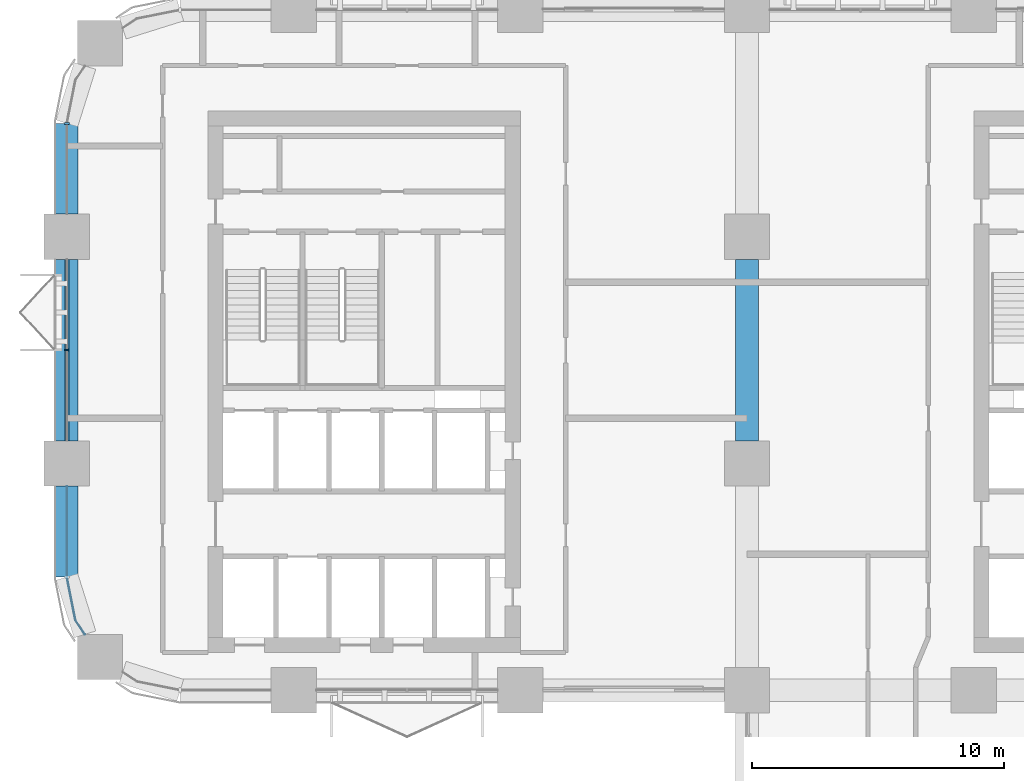
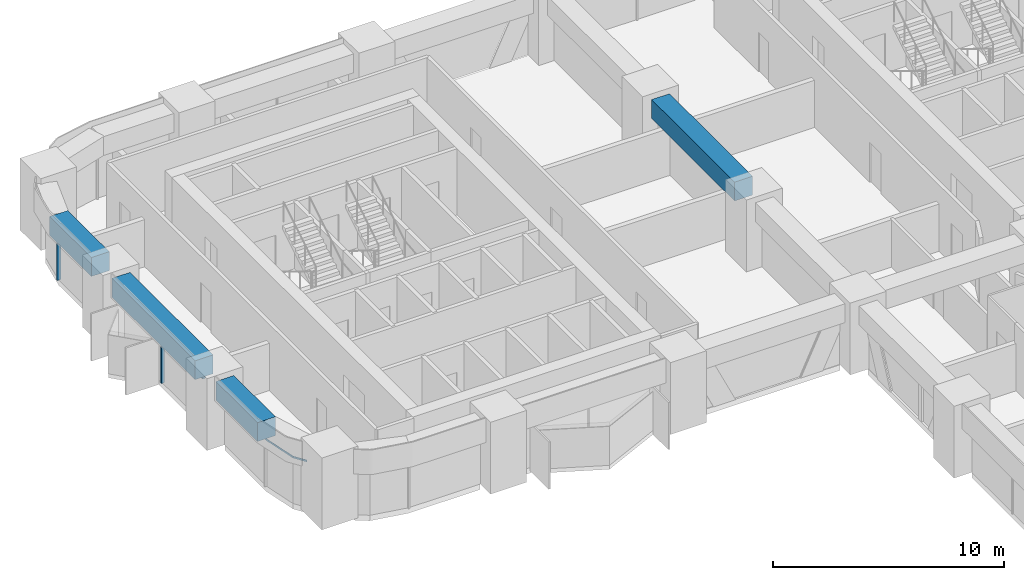
# One storey, part 6 of 18: 4 beams, 4 members, 3 elements without a shape of their own.
"""IFC4 building model written with IfcOpenShell, lengths in metres."""

from ifc_helpers import new_model, si_unit, direction, frame, origin, origin_2d, place, context, subcontext, project, spatial, polyline, rectangle, outline, extrude, material, material_profile, profile_set, type_object, element, aggregate, save


model = new_model("IFC4")

# Units and contexts
model_context = context("Model", 3, precision=1e-05, world=origin(), true_north=direction((0.0, 1.0)))
body_context = subcontext(model_context, "Body", "Model", "MODEL_VIEW")
ifc_project = project(units=[si_unit("LENGTHUNIT", "METRE"), si_unit("AREAUNIT", "SQUARE_METRE"), si_unit("VOLUMEUNIT", "CUBIC_METRE"), si_unit("PLANEANGLEUNIT", "RADIAN"), si_unit("MASSUNIT", "GRAM", prefix="KILO")], contexts=[model_context])

# Site, building, storey
site_placement = place(None, origin())
site = spatial("IfcSite", under=ifc_project, at=site_placement, CompositionType="ELEMENT")
building_placement = place(site_placement, origin())
building = spatial("IfcBuilding", under=site, at=building_placement, Name="Tessera Arch", CompositionType="ELEMENT")
storey_placement = place(building_placement, frame((0.0, 0.0, 89.199951171875)))
storey = spatial("IfcBuildingStorey", under=building, at=storey_placement, Name="L20", CompositionType="ELEMENT", Elevation=89.199951171875)

# Curtain wall, members
ifc_material_1 = material(Name="CW1 curtain wall")
curtain_wall_type_1 = type_object("IfcCurtainWallType", Name="CW1 curtain wall", PredefinedType="NOTDEFINED", material=ifc_material_1)
curtain_wall_1_placement = place(storey_placement, origin())
curtain_wall_1 = element("IfcCurtainWall", 1, at=curtain_wall_1_placement, inside=storey, type_object=curtain_wall_type_1, Name="CW1 curtain wall W0.27/1 L20", PredefinedType="NOTDEFINED")
ifc_material_2 = material(Name="Anodised aluminium pale metal", Category="aluminium")
ifc_material_profile_1 = material_profile(ifc_material_2, rectangle(XDim=0.159912109375, YDim=0.06005859375, at=origin_2d()), Name="AL 60x160")
ifc_profile_set_1 = profile_set([ifc_material_profile_1], Name="Anodised aluminium pale metal")
member_type_1 = type_object("IfcMemberType", Name="CW1 mullion", PredefinedType="MULLION", material=ifc_profile_set_1)
member_1_placement = place(storey_placement, frame((0.0, 40.5, 0.0), z_axis=(0.0, 0.0, 1.0), x_axis=(1.0, 0.0, 0.0)))
member_1 = element("IfcMember", 2, at=member_1_placement, type_object=member_type_1, Name="CW1 mullion W0.27/1 1", PredefinedType="MULLION", context=body_context, shape_type="SweptSolid", body=[
    extrude(rectangle(XDim=0.159912109375, YDim=0.06005859375, at=origin_2d()), origin(), (0.0, 0.0, 1.0), 2.400146484375),
])
ifc_material_3 = material(Name="Anodised aluminium pale metal", Category="aluminium")
ifc_material_profile_2 = material_profile(ifc_material_3, rectangle(XDim=0.159912109375, YDim=0.10009765625, at=origin_2d()), Name="AL 160x100")
ifc_profile_set_2 = profile_set([ifc_material_profile_2], Name="Anodised aluminium pale metal")
member_type_2 = type_object("IfcMemberType", Name="CW1 transom", PredefinedType="USERDEFINED", material=ifc_profile_set_2)
member_2_placement = place(storey_placement, frame((0.0, 44.10009765625, 2.449951171875), z_axis=(0.0, -1.0, 0.0), x_axis=(1.0, 0.0, 0.0)))
member_2 = element("IfcMember", 3, at=member_2_placement, type_object=member_type_2, Name="CW1 transom W0.27/1 1.1", ObjectType="TRANSOM", PredefinedType="USERDEFINED", context=body_context, shape_type="SweptSolid", body=[
    extrude(rectangle(XDim=0.159912109375, YDim=0.10009765625, at=origin_2d()), origin(), (0.0, 0.0, 1.0), 7.2001953125),
])
aggregate(curtain_wall_1, [member_1, member_2])

# Curtain wall, member
ifc_material_4 = material(Name="CW2 curtain wall")
curtain_wall_type_2 = type_object("IfcCurtainWallType", Name="CW2 curtain wall", PredefinedType="NOTDEFINED", material=ifc_material_4)
curtain_wall_2_placement = place(storey_placement, origin())
curtain_wall_2 = element("IfcCurtainWall", 4, at=curtain_wall_2_placement, inside=storey, type_object=curtain_wall_type_2, Name="CW2 curtain wall W0.27/0 L20", PredefinedType="NOTDEFINED")
ifc_material_5 = material(Name="Anodised aluminium pale metal", Category="aluminium")
ifc_material_profile_3 = material_profile(ifc_material_5, rectangle(XDim=0.199951171875, YDim=0.080078125, at=origin_2d()), Name="AL 80x200")
ifc_profile_set_3 = profile_set([ifc_material_profile_3], Name="Anodised aluminium pale metal")
member_type_3 = type_object("IfcMemberType", Name="CW2 mullion", PredefinedType="MULLION", material=ifc_profile_set_3)
member_3_placement = place(storey_placement, frame((0.0, 49.5, 0.0), z_axis=(0.0, 0.0, 1.0), x_axis=(1.0, 0.0, 0.0)))
member_3 = element("IfcMember", 5, at=member_3_placement, type_object=member_type_3, Name="CW2 mullion W0.27/0 1", PredefinedType="MULLION", context=body_context, shape_type="SweptSolid", body=[
    extrude(rectangle(XDim=0.199951171875, YDim=0.080078125, at=origin_2d()), origin(), (0.0, 0.0, 1.0), 2.400146484375),
])
aggregate(curtain_wall_2, [member_3])

curtain_wall_3_placement = place(storey_placement, origin())
curtain_wall_3 = element("IfcCurtainWall", 6, at=curtain_wall_3_placement, inside=storey, type_object=curtain_wall_type_2, Name="CW2 curtain wall W0.27/2 L20", PredefinedType="NOTDEFINED")
ifc_material_6 = material(Name="Anodised aluminium pale metal", Category="aluminium")
ifc_material_profile_4 = material_profile(ifc_material_6, rectangle(XDim=0.199951171875, YDim=0.10009765625, at=origin_2d()), Name="AL 200x100")
ifc_profile_set_4 = profile_set([ifc_material_profile_4], Name="Anodised aluminium pale metal")
member_type_4 = type_object("IfcMemberType", Name="CW2 transom", PredefinedType="USERDEFINED", material=ifc_profile_set_4)
member_4_placement = place(storey_placement, frame((0.0, 0.0, 2.400146484375)))
member_4 = element("IfcMember", 7, at=member_4_placement, type_object=member_type_4, Name="CW2 transom W0.27/2 1", ObjectType="TRANSOM", PredefinedType="USERDEFINED", context=body_context, shape_type="SweptSolid", body=[
    extrude(outline(polyline([(0.010009765625, 31.5009765625), (0.010009765625, 35.10009765625), (-0.010009765625, 35.10009765625), (-0.010009765625, 31.4990234375), (0.3330078125, 29.77392578125), (0.70849609375, 29.21240234375), (0.72509765625, 29.2236328125), (0.351806640625, 29.78173828125), (0.010009765625, 31.5009765625)])), origin(), (0.0, 0.0, 1.0), 0.099853515625),
])
aggregate(curtain_wall_3, [member_4])

# Beams
ifc_material_7 = material(Name="Concrete C80/95", Category="concrete")
ifc_material_profile_5 = material_profile(ifc_material_7, rectangle(XDim=0.89990234375, YDim=1.0, at=origin_2d()), Name="RC spandrel beam 900 x 1000 Concrete C80/95")
ifc_profile_set_5 = profile_set([ifc_material_profile_5], Name="Concrete C80/95")
beam_type = type_object("IfcBeamType", Name="RC spandrel beam 900 x 1000 Concrete C80/95", PredefinedType="BEAM", material=ifc_profile_set_5)
beam_1_placement = place(storey_placement, frame((0.0, 49.5, 3.0), z_axis=(0.0, -1.0, 0.0), x_axis=(1.0, 0.0, 0.0)))
element("IfcBeam", 8, at=beam_1_placement, inside=storey, type_object=beam_type, Name="Spandrel beam L20 W0.27/0.2", PredefinedType="BEAM", context=body_context, shape_type="SweptSolid", body=[
    extrude(rectangle(XDim=0.89990234375, YDim=1.0, at=origin_2d()), origin(), (0.0, 0.0, 1.0), 3.60009765625),
])
beam_2_placement = place(storey_placement, frame((0.0, 44.10009765625, 3.0), z_axis=(0.0, -1.0, 0.0), x_axis=(1.0, 0.0, 0.0)))
element("IfcBeam", 9, at=beam_2_placement, inside=storey, type_object=beam_type, Name="Spandrel beam L20 W0.27/1", PredefinedType="BEAM", context=body_context, shape_type="SweptSolid", body=[
    extrude(rectangle(XDim=0.89990234375, YDim=1.0, at=origin_2d()), origin(), (0.0, 0.0, 1.0), 7.2001953125),
])
beam_3_placement = place(storey_placement, frame((0.0, 35.10009765625, 3.0), z_axis=(0.0, -1.0, 0.0), x_axis=(1.0, 0.0, 0.0)))
element("IfcBeam", 10, at=beam_3_placement, inside=storey, type_object=beam_type, Name="Spandrel beam L20 W0.27/2.1", PredefinedType="BEAM", context=body_context, shape_type="SweptSolid", body=[
    extrude(rectangle(XDim=0.89990234375, YDim=1.0, at=origin_2d()), origin(), (0.0, 0.0, 1.0), 3.60009765625),
])
beam_4_placement = place(storey_placement, frame((27.0, 36.89990234375, 3.0), z_axis=(0.0, 1.0, 0.0), x_axis=(-1.0, 0.0, 0.0)))
element("IfcBeam", 11, at=beam_4_placement, inside=storey, type_object=beam_type, Name="Interface beam L20 I0C4E-C4F", PredefinedType="BEAM", context=body_context, shape_type="SweptSolid", body=[
    extrude(rectangle(XDim=0.89990234375, YDim=1.0, at=origin_2d()), origin(), (0.0, 0.0, 1.0), 7.2001953125),
])

save(model, "model.ifc")
